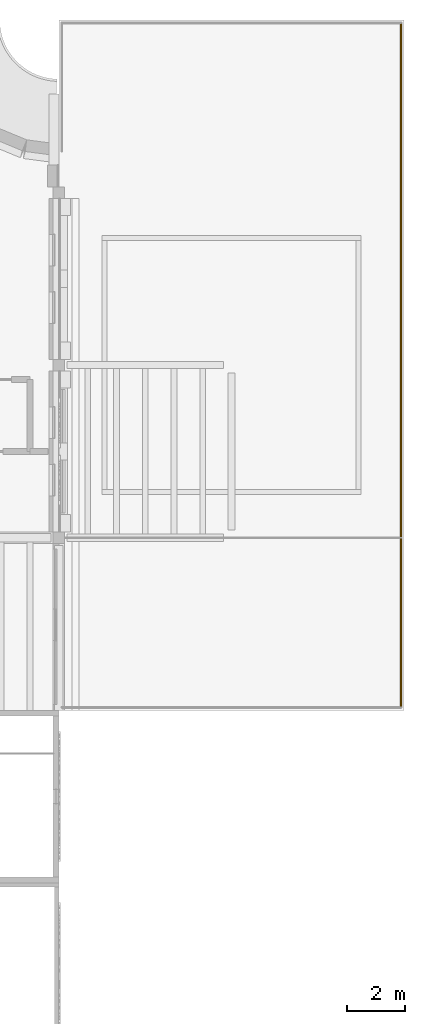
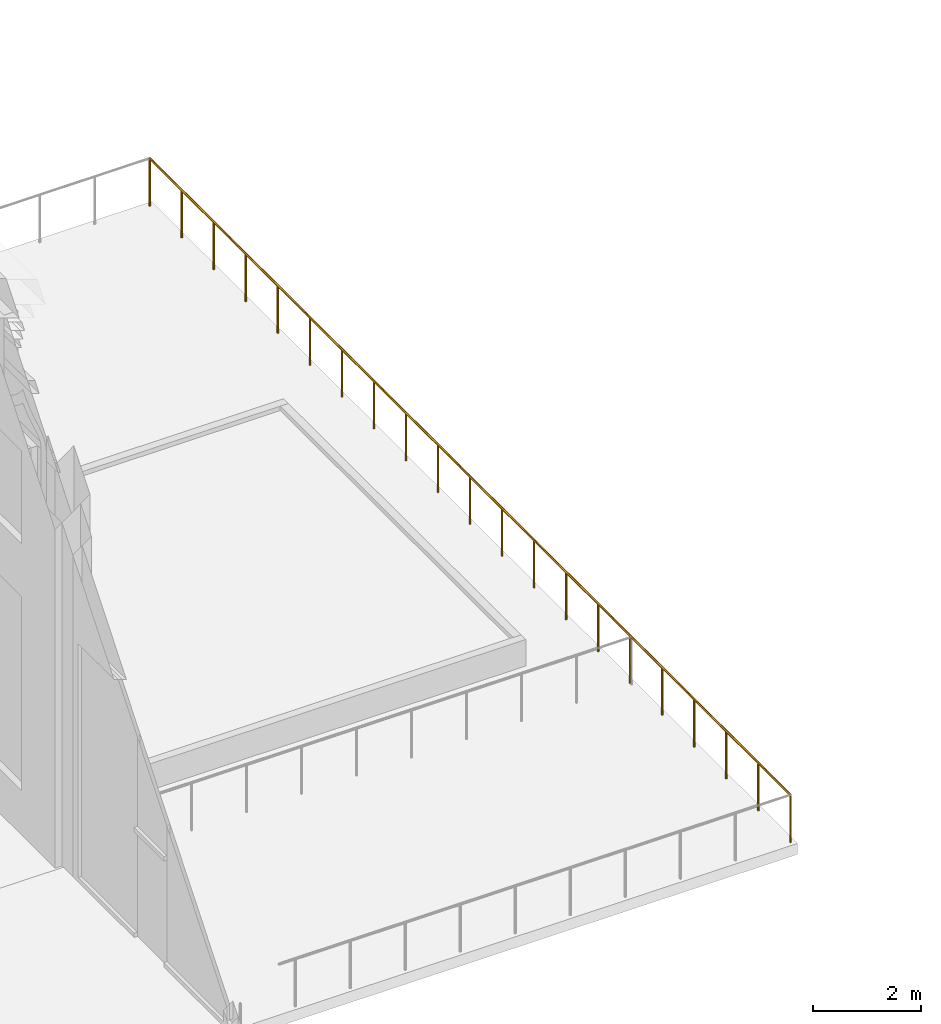
# One storey, part 117 of 118: 1 railing.
"""IFC4 building model written with IfcOpenShell, lengths in metres."""

from ifc_helpers import new_model, si_unit, direction, frame, origin, origin_2d, place, context, subcontext, project, spatial, circle, extrude, element, save


model = new_model("IFC4")

# Units and contexts
model_context = context("Model", 3, precision=1e-05, world=origin(), true_north=direction((0.0, 1.0)))
body_context = subcontext(model_context, "Body", "Model", "MODEL_VIEW")
ifc_project = project(units=[si_unit("LENGTHUNIT", "METRE"), si_unit("AREAUNIT", "SQUARE_METRE"), si_unit("VOLUMEUNIT", "CUBIC_METRE"), si_unit("PLANEANGLEUNIT", "RADIAN"), si_unit("MASSUNIT", "GRAM", prefix="KILO")], contexts=[model_context])

# Site, building, storey
site_placement = place(None, origin())
site = spatial("IfcSite", under=ifc_project, at=site_placement, CompositionType="ELEMENT")
building_placement = place(site_placement, origin())
building = spatial("IfcBuilding", under=site, at=building_placement, Name="Saffron Lane Theatres", CompositionType="ELEMENT")
storey_placement = place(building_placement, frame((0.0, 0.0, 16.5)))
storey = spatial("IfcBuildingStorey", under=building, at=storey_placement, Name="L03", CompositionType="ELEMENT", Elevation=16.5)

# Railing
railing_placement = place(storey_placement, frame((65.89990234375, 102.10009765625, 0.0)))
element("IfcRailing", 1, at=railing_placement, inside=storey, Name="Roof garden guard E", PredefinedType="GUARDRAIL", context=body_context, shape_type="SweptSolid", body=[
    extrude(circle(Radius=0.02392578125, at=origin_2d()), frame((0.0, 0.0, 1.076171875), z_axis=(0.0, 1.0, 0.0), x_axis=(-1.0, 0.0, 0.0)), (0.0, 0.0, 1.0), 23.7998046875),
    extrude(circle(Radius=0.02099609375, at=origin_2d()), origin(), (0.0, 0.0, 1.0), 1.052001953125),
    extrude(circle(Radius=0.02099609375, at=origin_2d()), frame((0.0, 1.18994140625, 0.0)), (0.0, 0.0, 1.0), 1.052001953125),
    extrude(circle(Radius=0.02099609375, at=origin_2d()), frame((0.0, 2.3798828125, 0.0)), (0.0, 0.0, 1.0), 1.052001953125),
    extrude(circle(Radius=0.02099609375, at=origin_2d()), frame((0.0, 3.570068359375, 0.0)), (0.0, 0.0, 1.0), 1.052001953125),
    extrude(circle(Radius=0.02099609375, at=origin_2d()), frame((0.0, 4.760009765625, 0.0)), (0.0, 0.0, 1.0), 1.052001953125),
    extrude(circle(Radius=0.02099609375, at=origin_2d()), frame((0.0, 5.949951171875, 0.0)), (0.0, 0.0, 1.0), 1.052001953125),
    extrude(circle(Radius=0.02099609375, at=origin_2d()), frame((0.0, 7.139892578125, 0.0)), (0.0, 0.0, 1.0), 1.052001953125),
    extrude(circle(Radius=0.02099609375, at=origin_2d()), frame((0.0, 8.329833984375, 0.0)), (0.0, 0.0, 1.0), 1.052001953125),
    extrude(circle(Radius=0.02099609375, at=origin_2d()), frame((0.0, 9.52001953125, 0.0)), (0.0, 0.0, 1.0), 1.052001953125),
    extrude(circle(Radius=0.02099609375, at=origin_2d()), frame((0.0, 10.7099609375, 0.0)), (0.0, 0.0, 1.0), 1.052001953125),
    extrude(circle(Radius=0.02099609375, at=origin_2d()), frame((0.0, 11.89990234375, 0.0)), (0.0, 0.0, 1.0), 1.052001953125),
    extrude(circle(Radius=0.02099609375, at=origin_2d()), frame((0.0, 13.08984375, 0.0)), (0.0, 0.0, 1.0), 1.052001953125),
    extrude(circle(Radius=0.02099609375, at=origin_2d()), frame((0.0, 14.27978515625, 0.0)), (0.0, 0.0, 1.0), 1.052001953125),
    extrude(circle(Radius=0.02099609375, at=origin_2d()), frame((0.0, 15.469970703125, 0.0)), (0.0, 0.0, 1.0), 1.052001953125),
    extrude(circle(Radius=0.02099609375, at=origin_2d()), frame((0.0, 16.659912109375, 0.0)), (0.0, 0.0, 1.0), 1.052001953125),
    extrude(circle(Radius=0.02099609375, at=origin_2d()), frame((0.0, 17.849853515625, 0.0)), (0.0, 0.0, 1.0), 1.052001953125),
    extrude(circle(Radius=0.02099609375, at=origin_2d()), frame((0.0, 19.039794921875, 0.0)), (0.0, 0.0, 1.0), 1.052001953125),
    extrude(circle(Radius=0.02099609375, at=origin_2d()), frame((0.0, 20.229736328125, 0.0)), (0.0, 0.0, 1.0), 1.052001953125),
    extrude(circle(Radius=0.02099609375, at=origin_2d()), frame((0.0, 21.419921875, 0.0)), (0.0, 0.0, 1.0), 1.052001953125),
    extrude(circle(Radius=0.02099609375, at=origin_2d()), frame((0.0, 22.60986328125, 0.0)), (0.0, 0.0, 1.0), 1.052001953125),
    extrude(circle(Radius=0.02099609375, at=origin_2d()), frame((0.0, 23.7998046875, 0.0)), (0.0, 0.0, 1.0), 1.052001953125),
])

save(model, "model.ifc")
